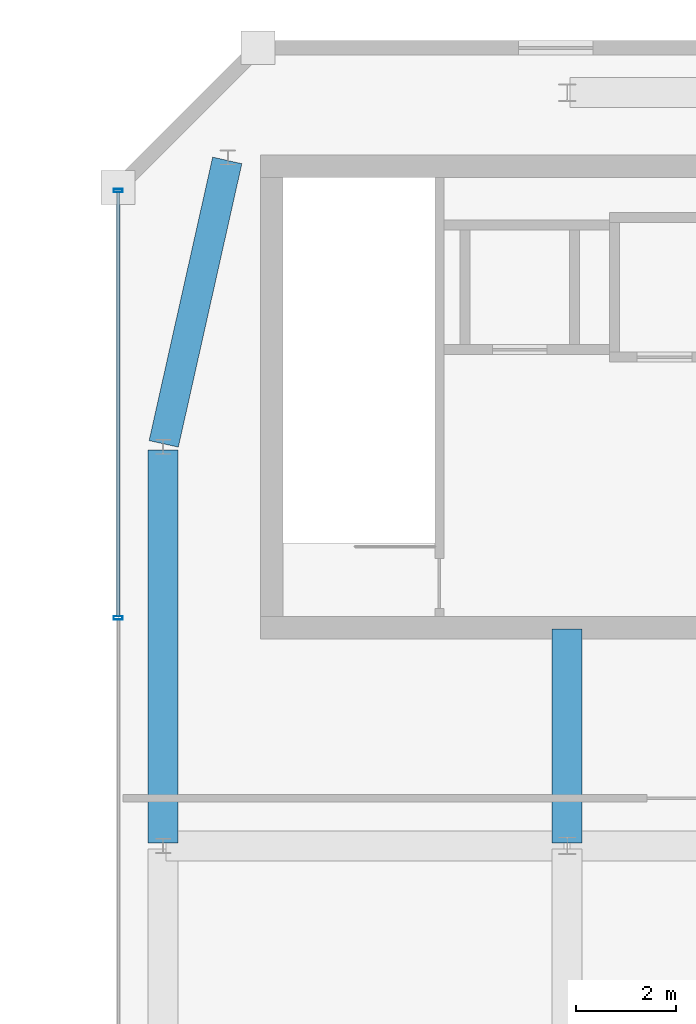
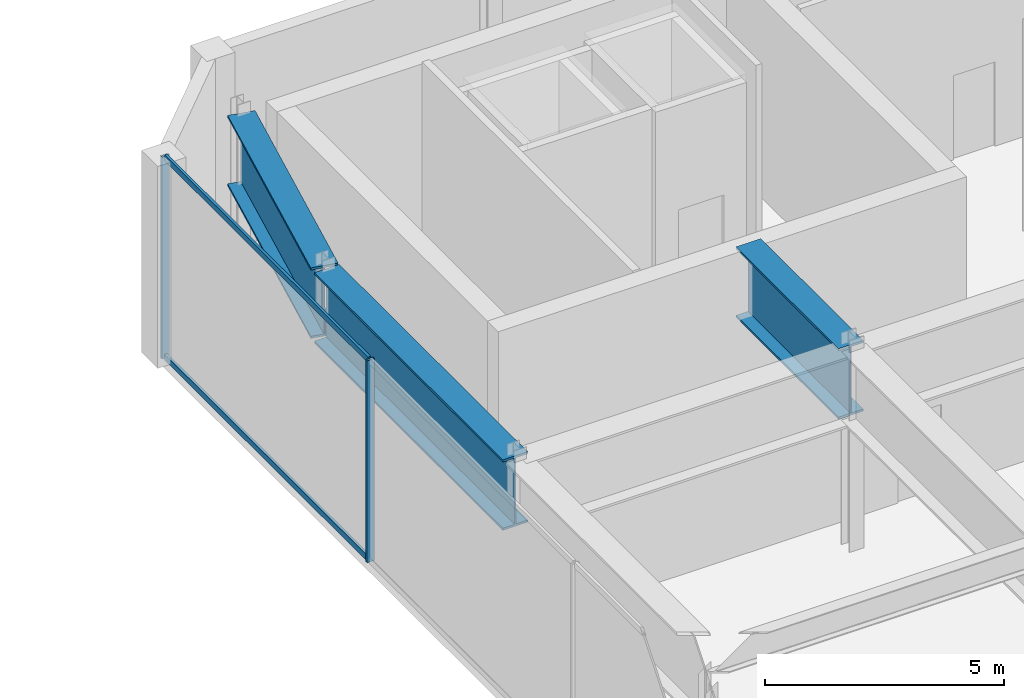
# One storey, part 40 of 53: 4 members, 3 beams, 1 element without a shape of its own.
"""IFC4 building model written with IfcOpenShell, lengths in metres."""

import ifcopenshell
import ifcopenshell.guid

model = None  # the IFC model being written
_history = None  # IfcOwnerHistory: only IFC2X3 demands one
_inside = {}  # id of a spatial element -> (the spatial element, [elements in it])
_under = {}  # id of a project, library or spatial element -> (it, [spatial elements below it])
_declared = {}  # id of a project -> (the project, [libraries it declares])
_typed = {}  # id of a type object -> (the type object, [elements of that type])
_made_of = {}  # id of a material, layer set ... -> (it, [elements and type objects made of it])


def new_model(schema):
    """Start an empty IFC model of exactly this schema.

    Asked for "IFC4X3", IfcOpenShell would pick the latest addendum, in which some entities
    have other attributes; the version numbers below select the first issue.
    IFC2X3 requires an IfcOwnerHistory on every rooted entity: one is made here for all.
    """
    global model, _history
    if schema == "IFC4X3":
        model = ifcopenshell.file(schema_version=(4, 3, 0, 0))
    else:
        model = ifcopenshell.file(schema=schema)
    _inside.clear()
    _under.clear()
    _declared.clear()
    _typed.clear()
    _made_of.clear()
    _history = None
    if model.schema == "IFC2X3":
        org = make("IfcOrganization", Name="unknown")
        user = make(
            "IfcPersonAndOrganization",
            ThePerson=make("IfcPerson", FamilyName="unknown"),
            TheOrganization=org,
        )
        app = make(
            "IfcApplication",
            ApplicationDeveloper=org,
            Version="unknown",
            ApplicationFullName="unknown",
            ApplicationIdentifier="unknown",
        )
        _history = make(
            "IfcOwnerHistory",
            OwningUser=user,
            OwningApplication=app,
            ChangeAction="ADDED",
            CreationDate=0,
        )
    return model


def make(cls, **values):
    """One entity of the class cls with the attributes given. An attribute that is None is left unset."""
    return model.create_entity(
        cls, **{name: value for name, value in values.items() if value is not None}
    )


def rooted(cls, **values):
    """An entity with a GlobalId (a new one), such as an element, a storey or a relation."""
    return make(cls, GlobalId=ifcopenshell.guid.new(), OwnerHistory=_history, **values)


def si_unit(unit_type, name, prefix=None):
    """IfcSIUnit, for example si_unit("LENGTHUNIT", "METRE", prefix="MILLI")."""
    return make("IfcSIUnit", UnitType=unit_type, Prefix=prefix, Name=name)


def assignment(units):
    """IfcUnitAssignment: the units of a project."""
    return None if units is None else make("IfcUnitAssignment", Units=units)


def point(xyz):
    """IfcCartesianPoint."""
    return None if xyz is None else make("IfcCartesianPoint", Coordinates=xyz)


def direction(xyz):
    """IfcDirection."""
    return None if xyz is None else make("IfcDirection", DirectionRatios=xyz)


def frame(location, z_axis=None, x_axis=None):
    """IfcAxis2Placement3D, a coordinate frame: its origin and axes. An axis left out is left unset."""
    return make(
        "IfcAxis2Placement3D",
        Location=point(location),
        Axis=direction(z_axis),
        RefDirection=direction(x_axis),
    )


def frame_2d(location, x_axis=None):
    """IfcAxis2Placement2D, a coordinate frame in the plane: its origin and x axis."""
    return make(
        "IfcAxis2Placement2D", Location=point(location), RefDirection=direction(x_axis)
    )


def origin():
    """The frame at (0, 0, 0) with its axes left unset."""
    return frame((0.0, 0.0, 0.0))


def origin_2d():
    """The frame at (0, 0) in the plane with its x axis left unset."""
    return frame_2d((0.0, 0.0))


def place(relative_to, where):
    """IfcLocalPlacement: puts the frame where relative to a parent placement (None: the world)."""
    return make(
        "IfcLocalPlacement", PlacementRelTo=relative_to, RelativePlacement=where
    )


def context(
    kind, dimensions, precision=None, world=None, true_north=None, identifier=None
):
    """IfcGeometricRepresentationContext, for example the 3D "Model" context."""
    return make(
        "IfcGeometricRepresentationContext",
        ContextIdentifier=identifier,
        ContextType=kind,
        CoordinateSpaceDimension=dimensions,
        Precision=precision,
        WorldCoordinateSystem=world,
        TrueNorth=true_north,
    )


def subcontext(parent, identifier, kind, view, scale=None):
    """IfcGeometricRepresentationSubContext, for example "Body" below "Model"."""
    return make(
        "IfcGeometricRepresentationSubContext",
        ContextIdentifier=identifier,
        ContextType=kind,
        ParentContext=parent,
        TargetScale=scale,
        TargetView=view,
    )


def project(units=None, contexts=None):
    """IfcProject with its units and contexts."""
    return rooted(
        "IfcProject",
        Name="project",
        RepresentationContexts=contexts,
        UnitsInContext=assignment(units),
    )


def spatial(cls, under=None, at=None, **own):
    """A site, building, storey or space (cls), placed at a placement, below another one or the project."""
    s = rooted(cls, ObjectPlacement=at, **own)
    if under is not None:
        _under.setdefault(under.id(), (under, []))[1].append(s)
    return s


def profile(cls, at=None, kind="AREA", **sizes):
    """A parametric profile (cls). Its sizes go by their IFC names, for example OverallWidth=200.0."""
    return make(cls, ProfileType=kind, Position=at, **sizes)


def hollow_rectangle(**sizes):
    """IfcRectangleHollowProfileDef."""
    return profile("IfcRectangleHollowProfileDef", **sizes)


def i_section(**sizes):
    """IfcIShapeProfileDef."""
    return profile("IfcIShapeProfileDef", **sizes)


def extrude(swept, where, along, depth):
    """IfcExtrudedAreaSolid: the profile swept, set in the frame where, extruded along a direction by depth."""
    return make(
        "IfcExtrudedAreaSolid",
        SweptArea=swept,
        Position=where,
        ExtrudedDirection=direction(along),
        Depth=depth,
    )


def shape(context_of_items, identifier, shape_type, items):
    """IfcShapeRepresentation: the items that make up one representation, for example the "Body"."""
    return make(
        "IfcShapeRepresentation",
        ContextOfItems=context_of_items,
        RepresentationIdentifier=identifier,
        RepresentationType=shape_type,
        Items=items,
    )


def material(Name=None, Category=None):
    """IfcMaterial."""
    return make("IfcMaterial", Name=Name, Category=Category)


def material_profile(
    of_material, cross_section, Name=None, Category=None, Priority=None
):
    """IfcMaterialProfile: a cross section and its material."""
    return make(
        "IfcMaterialProfile",
        Name=Name,
        Material=of_material,
        Profile=cross_section,
        Priority=Priority,
        Category=Category,
    )


def profile_set(profiles, Name=None, composite=None):
    """IfcMaterialProfileSet."""
    return make(
        "IfcMaterialProfileSet",
        Name=Name,
        MaterialProfiles=profiles,
        CompositeProfile=composite,
    )


def made_of(thing, what):
    """Note that an element or type object is made of a material, layer set ...; save() writes the relation."""
    if what is not None:
        _made_of.setdefault(what.id(), (what, []))[1].append(thing)
    return thing


def type_object(cls, material=None, **own):
    """A type object (cls), such as IfcWallType, which elements share."""
    return made_of(rooted(cls, **own), material)


def element(
    cls,
    number,
    at=None,
    inside=None,
    cuts=None,
    type_object=None,
    material=None,
    context=None,
    identifier="Body",
    shape_type=None,
    held_by="IfcProductDefinitionShape",
    body=None,
    shapes=None,
    **own,
):
    """One element of the class cls, such as IfcWall. Its Tag is "e" and its number.

    at: its placement. inside: the storey or other place that contains it. cuts: it is an
    opening in that element (IfcRelVoidsElement). A single representation is given by context,
    identifier, shape_type and body (its items); several are given by shapes. held_by: the class
    of the entity that holds the representations. save() writes the other relations.
    """
    e = rooted(cls, Tag="e%d" % number, ObjectPlacement=at, **own)
    if body is not None:
        shapes = [shape(context, identifier, shape_type, body)]
    if shapes is not None:
        e.Representation = make(held_by, Representations=shapes)
    if inside is not None:
        _inside.setdefault(inside.id(), (inside, []))[1].append(e)
    if cuts is not None:
        rooted(
            "IfcRelVoidsElement", RelatingBuildingElement=cuts, RelatedOpeningElement=e
        )
    if type_object is not None:
        _typed.setdefault(type_object.id(), (type_object, []))[1].append(e)
    return made_of(e, material)


def aggregate(whole, parts):
    """IfcRelAggregates: a whole, such as a stair, and the parts it consists of."""
    return rooted("IfcRelAggregates", RelatingObject=whole, RelatedObjects=parts)


def save(model, path):
    """Write the relations noted so far, then the file.

    IfcRelAggregates (storeys below a building ...), IfcRelContainedInSpatialStructure (elements
    in a storey), IfcRelDefinesByType, IfcRelAssociatesMaterial and IfcRelDeclares: one each for
    every whole, place, type object, material and project.
    """
    for whole, parts in _under.values():
        aggregate(whole, parts)
    for where, things in _inside.values():
        rooted(
            "IfcRelContainedInSpatialStructure",
            RelatedElements=things,
            RelatingStructure=where,
        )
    for kind, things in _typed.values():
        rooted("IfcRelDefinesByType", RelatedObjects=things, RelatingType=kind)
    for what, things in _made_of.values():
        rooted("IfcRelAssociatesMaterial", RelatedObjects=things, RelatingMaterial=what)
    for by, libraries in _declared.values():
        rooted("IfcRelDeclares", RelatingContext=by, RelatedDefinitions=libraries)
    model.write(path)


model = new_model("IFC4")

# Units and contexts
model_context = context("Model", 3, precision=1e-05, world=origin(), true_north=direction((0.0, 1.0)))
body_context = subcontext(model_context, "Body", "Model", "MODEL_VIEW")
ifc_project = project(units=[si_unit("LENGTHUNIT", "METRE"), si_unit("AREAUNIT", "SQUARE_METRE"), si_unit("VOLUMEUNIT", "CUBIC_METRE"), si_unit("PLANEANGLEUNIT", "RADIAN"), si_unit("MASSUNIT", "GRAM", prefix="KILO")], contexts=[model_context])

# Site, building, storey
site_placement = place(None, origin())
site = spatial("IfcSite", under=ifc_project, at=site_placement, CompositionType="ELEMENT")
building_placement = place(site_placement, origin())
building = spatial("IfcBuilding", under=site, at=building_placement, Name="Saevonmaru Cultural Tower", CompositionType="ELEMENT")
storey_placement = place(building_placement, frame((0.0, 0.0, 22.199951171875)))
storey = spatial("IfcBuildingStorey", under=building, at=storey_placement, Name="L04", CompositionType="ELEMENT", Elevation=22.199951171875)

# Beams
ifc_material_1 = material(Name="Steel HSA600 (600 MPa)", Category="steel")
ifc_material_profile_1 = material_profile(ifc_material_1, i_section(OverallWidth=0.60009765625, OverallDepth=1.800048828125, WebThickness=0.028076171875, FlangeThickness=0.054931640625, at=origin_2d()), Name="PG-1800x600x28x55")
ifc_profile_set_1 = profile_set([ifc_material_profile_1], Name="Steel HSA600 (600 MPa)")
beam_type = type_object("IfcBeamType", Name="BM-TG-PG1800", PredefinedType="BEAM", material=ifc_profile_set_1)
beam_1_placement = place(storey_placement, frame((73.10009765625, 32.06005859375, 4.199951171875), z_axis=(0.0, 1.0, 0.0), x_axis=(-1.0, 0.0, 0.0)))
element("IfcBeam", 1, at=beam_1_placement, inside=storey, type_object=beam_type, Name="L04 Library Girder NS-1-4", PredefinedType="BEAM", context=body_context, shape_type="SweptSolid", body=[
    extrude(i_section(OverallWidth=0.60009765625, OverallDepth=1.800048828125, WebThickness=0.028076171875, FlangeThickness=0.054931640625, at=origin_2d()), origin(), (0.0, 0.0, 1.0), 7.8798828125),
])
beam_2_placement = place(storey_placement, frame((73.113037109375, 40.05859375, 4.199951171875), z_axis=(0.218741049138, 0.975782943806, 0.0), x_axis=(-0.975782943806, 0.218741049138, 0.0)))
element("IfcBeam", 2, at=beam_2_placement, inside=storey, type_object=beam_type, Name="L04 Library Girder NS-1-5", PredefinedType="BEAM", context=body_context, shape_type="SweptSolid", body=[
    extrude(i_section(OverallWidth=0.60009765625, OverallDepth=1.800048828125, WebThickness=0.028076171875, FlangeThickness=0.054931640625, at=origin_2d()), origin(), (0.0, 0.0, 1.0), 5.823974609375),
])
beam_3_placement = place(storey_placement, frame((81.199951171875, 32.06005859375, 4.199951171875), z_axis=(0.0, 1.0, 0.0), x_axis=(-1.0, 0.0, 0.0)))
element("IfcBeam", 3, at=beam_3_placement, inside=storey, type_object=beam_type, Name="L04 Library Core-Bearing Girder NS-2-4", PredefinedType="BEAM", context=body_context, shape_type="SweptSolid", body=[
    extrude(i_section(OverallWidth=0.60009765625, OverallDepth=1.800048828125, WebThickness=0.028076171875, FlangeThickness=0.054931640625, at=origin_2d()), origin(), (0.0, 0.0, 1.0), 4.2900390625),
])

# Curtain wall, members
ifc_material_2 = material(Name="Satin Bronze Anodised Aluminium", Category="aluminium")
curtain_wall_type = type_object("IfcCurtainWallType", Name="CW-LIB-GLZ", PredefinedType="NOTDEFINED", material=ifc_material_2)
curtain_wall_placement = place(storey_placement, origin())
curtain_wall = element("IfcCurtainWall", 4, at=curtain_wall_placement, inside=storey, type_object=curtain_wall_type, Name="L04 Central Library Reading Hall Curtain Wall 8", PredefinedType="NOTDEFINED")
ifc_material_profile_2 = material_profile(ifc_material_2, hollow_rectangle(XDim=0.06494140625, YDim=0.179931640625, WallThickness=0.00390625, at=origin_2d()), Name="ALU-MULL-180x65x4")
ifc_profile_set_2 = profile_set([ifc_material_profile_2], Name="Satin Bronze Anodised Aluminium")
member_type_1 = type_object("IfcMemberType", Name="ML-CW-180x65", PredefinedType="MULLION", material=ifc_profile_set_2)
member_1_placement = place(storey_placement, frame((72.199951171875, 45.139892578125, 0.0), z_axis=(0.0, 0.0, 1.0), x_axis=(0.0, -1.0, 0.0)))
member_1 = element("IfcMember", 5, at=member_1_placement, type_object=member_type_1, Name="CW-LIB-8-L04 mullion 1", PredefinedType="MULLION", context=body_context, shape_type="SweptSolid", body=[
    extrude(hollow_rectangle(XDim=0.06494140625, YDim=0.179931640625, WallThickness=0.00390625, at=origin_2d()), origin(), (0.0, 0.0, 1.0), 5.150146484375),
])
member_2_placement = place(storey_placement, frame((72.199951171875, 36.570068359375, 0.0), z_axis=(0.0, 0.0, 1.0), x_axis=(0.0, -1.0, 0.0)))
member_2 = element("IfcMember", 6, at=member_2_placement, type_object=member_type_1, Name="CW-LIB-8-L04 mullion 2", PredefinedType="MULLION", context=body_context, shape_type="SweptSolid", body=[
    extrude(hollow_rectangle(XDim=0.06494140625, YDim=0.179931640625, WallThickness=0.00390625, at=origin_2d()), origin(), (0.0, 0.0, 1.0), 5.150146484375),
])
ifc_material_profile_3 = material_profile(ifc_material_2, hollow_rectangle(XDim=0.06494140625, YDim=0.14990234375, WallThickness=0.00390625, at=origin_2d()), Name="ALU-TRAN-150x65x4")
ifc_profile_set_3 = profile_set([ifc_material_profile_3], Name="Satin Bronze Anodised Aluminium")
member_type_2 = type_object("IfcMemberType", Name="TR-CW-150x65", PredefinedType="USERDEFINED", material=ifc_profile_set_3)
member_3_placement = place(storey_placement, frame((72.199951171875, 45.107421875, 0.032470703125), z_axis=(0.0, -1.0, 0.0), x_axis=(1.0, 0.0, 0.0)))
member_3 = element("IfcMember", 7, at=member_3_placement, type_object=member_type_2, Name="CW-LIB-8-L04 transom 1.1", ObjectType="TRANSOM", PredefinedType="USERDEFINED", context=body_context, shape_type="SweptSolid", body=[
    extrude(hollow_rectangle(XDim=0.06494140625, YDim=0.14990234375, WallThickness=0.00390625, at=origin_2d()), origin(), (0.0, 0.0, 1.0), 8.5048828125),
])
member_4_placement = place(storey_placement, frame((72.199951171875, 45.107421875, 5.117431640625), z_axis=(0.0, -1.0, 0.0), x_axis=(1.0, 0.0, 0.0)))
member_4 = element("IfcMember", 8, at=member_4_placement, type_object=member_type_2, Name="CW-LIB-8-L04 transom 1.2", ObjectType="TRANSOM", PredefinedType="USERDEFINED", context=body_context, shape_type="SweptSolid", body=[
    extrude(hollow_rectangle(XDim=0.06494140625, YDim=0.14990234375, WallThickness=0.00390625, at=origin_2d()), origin(), (0.0, 0.0, 1.0), 8.5048828125),
])
aggregate(curtain_wall, [member_1, member_2, member_3, member_4])

save(model, "model.ifc")
